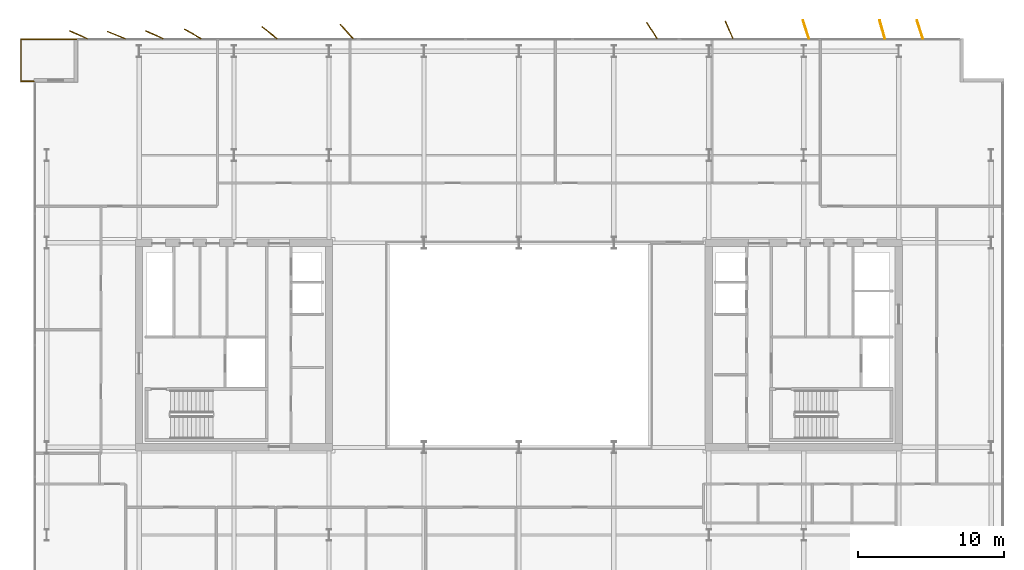
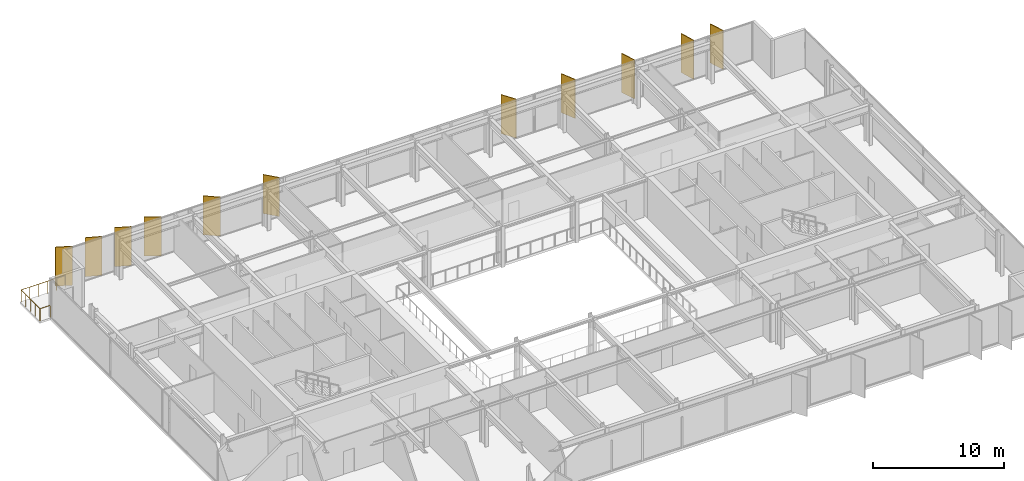
# One storey, part 23 of 23: 11 shading devices, 1 railing.
"""IFC4 building model written with IfcOpenShell, lengths in metres."""

from ifc_helpers import new_model, si_unit, direction, frame, origin, origin_2d, place, context, subcontext, project, spatial, rectangle, circle, extrude, material, layer, layer_set, type_object, element, save


model = new_model("IFC4")

# Units and contexts
model_context = context("Model", 3, precision=1e-05, world=origin(), true_north=direction((0.0, 1.0)))
body_context = subcontext(model_context, "Body", "Model", "MODEL_VIEW")
ifc_project = project(units=[si_unit("LENGTHUNIT", "METRE"), si_unit("AREAUNIT", "SQUARE_METRE"), si_unit("VOLUMEUNIT", "CUBIC_METRE"), si_unit("PLANEANGLEUNIT", "RADIAN"), si_unit("MASSUNIT", "GRAM", prefix="KILO")], contexts=[model_context])

# Site, building, storey
site_placement = place(None, origin())
site = spatial("IfcSite", under=ifc_project, at=site_placement, CompositionType="ELEMENT")
building_placement = place(site_placement, origin())
building = spatial("IfcBuilding", under=site, at=building_placement, Name="Putna Gate Headquarters", CompositionType="ELEMENT")
storey_placement = place(building_placement, frame((0.0, 0.0, 213.800048828125)))
storey = spatial("IfcBuildingStorey", under=building, at=storey_placement, Name="L53", CompositionType="ELEMENT", Elevation=213.800048828125)

# Railing
ifc_material_1 = material(Name="Anodised bronze steel and laminated glass guardrail", Category="steel")
railing_type = type_object("IfcRailingType", Name="RAIL-TERR-GUARD-1150", PredefinedType="GUARDRAIL", material=ifc_material_1)
railing_placement = place(storey_placement, frame((5.800048828125, 44.06005859375, 0.0)))
element("IfcRailing", 1, at=railing_placement, inside=storey, type_object=railing_type, Name="L53 Spiral Sky Terrace Guardrail NW", PredefinedType="GUARDRAIL", context=body_context, shape_type="SweptSolid", body=[
    extrude(circle(Radius=0.02392578125, at=origin_2d()), frame((0.0, 0.0, 1.1259765625), z_axis=(-1.0, 0.0, 0.0), x_axis=(0.0, -1.0, 0.0)), (0.0, 0.0, 1.0), 0.89013671875),
    extrude(circle(Radius=0.02392578125, at=origin_2d()), frame((-0.89013671875, 0.0, 1.1259765625), z_axis=(0.0, 1.0, 0.0), x_axis=(-1.0, 0.0, 0.0)), (0.0, 0.0, 1.0), 2.8798828125),
    extrude(circle(Radius=0.02392578125, at=origin_2d()), frame((-0.89013671875, 2.8798828125, 1.1259765625), z_axis=(1.0, 0.0, 0.0), x_axis=(0.0, 1.0, 0.0)), (0.0, 0.0, 1.0), 3.89013671875),
    extrude(circle(Radius=0.02099609375, at=origin_2d()), origin(), (0.0, 0.0, 1.0), 1.101806640625),
    extrude(circle(Radius=0.02099609375, at=origin_2d()), frame((-0.89013671875, 0.0, 0.0)), (0.0, 0.0, 1.0), 1.101806640625),
    extrude(circle(Radius=0.02099609375, at=origin_2d()), frame((-0.89013671875, 0.719970703125, 0.0)), (0.0, 0.0, 1.0), 1.101806640625),
    extrude(circle(Radius=0.02099609375, at=origin_2d()), frame((-0.89013671875, 1.43994140625, 0.0)), (0.0, 0.0, 1.0), 1.101806640625),
    extrude(circle(Radius=0.02099609375, at=origin_2d()), frame((-0.89013671875, 2.159912109375, 0.0)), (0.0, 0.0, 1.0), 1.101806640625),
    extrude(circle(Radius=0.02099609375, at=origin_2d()), frame((-0.89013671875, 2.8798828125, 0.0)), (0.0, 0.0, 1.0), 1.101806640625),
    extrude(circle(Radius=0.02099609375, at=origin_2d()), frame((-0.112060546875, 2.8798828125, 0.0)), (0.0, 0.0, 1.0), 1.101806640625),
    extrude(circle(Radius=0.02099609375, at=origin_2d()), frame((0.666015625, 2.8798828125, 0.0)), (0.0, 0.0, 1.0), 1.101806640625),
    extrude(circle(Radius=0.02099609375, at=origin_2d()), frame((1.44384765625, 2.8798828125, 0.0)), (0.0, 0.0, 1.0), 1.101806640625),
    extrude(circle(Radius=0.02099609375, at=origin_2d()), frame((2.221923828125, 2.8798828125, 0.0)), (0.0, 0.0, 1.0), 1.101806640625),
    extrude(circle(Radius=0.02099609375, at=origin_2d()), frame((3.0, 2.8798828125, 0.0)), (0.0, 0.0, 1.0), 1.101806640625),
])

# Shading devices
ifc_material_2 = material(Name="Anodised architectural bronze aluminium fin", Category="aluminium")
ifc_layer = layer(ifc_material_2, 0.06494140625)
ifc_layer_set = layer_set([ifc_layer], Name="Anodised architectural bronze aluminium fin")
shading_device_type = type_object("IfcShadingDeviceType", Name="SHADE-BRONZE-FIN-1320", PredefinedType="USERDEFINED", material=ifc_layer_set)
for number, where, z_axis, x_axis, name in (
    (2, (8.846923828125, 47.2431640625, -0.02001953125), (0.0, 0.0, 1.0), (-0.913687379856, 0.40641773078, 0.0), "L53 Bronze Vertical Shading Fin N1"),
    (3, (11.43798828125, 47.22216796875, -0.02001953125), (0.0, 0.0, 1.0), (-0.927183854567, 0.374606593416, 0.0), "L53 Bronze Vertical Shading Fin N2"),
    (4, (14.047119140625, 47.2431640625, -0.02001953125), (0.0, 0.0, 1.0), (-0.913687379856, 0.40641773078, 0.0), "L53 Bronze Vertical Shading Fin N3"),
    (5, (16.67626953125, 47.30126953125, -0.02001953125), (0.0, 0.0, 1.0), (-0.869322458298, 0.494245347472, 0.0), "L53 Bronze Vertical Shading Fin N4"),
    (6, (21.930419921875, 47.3818359375, -0.02001953125), (0.0, 0.0, 1.0), (-0.787473187632, 0.616348909921, 0.0), "L53 Bronze Vertical Shading Fin N5"),
    (7, (27.20849609375, 47.465576171875, -0.02001953125), (0.0, 0.0, 1.0), (-0.669130606359, 0.743144825477, 0.0), "L53 Bronze Vertical Shading Fin N6"),
    (8, (48.099853515625, 47.534423828125, -0.02001953125), (0.0, 0.0, 1.0), (-0.530659123936, 0.847585331506, 0.0), "L53 Bronze Vertical Shading Fin N7"),
    (9, (53.385498046875, 47.57958984375, -0.02001953125), (0.0, 0.0, 1.0), (-0.400668879095, 0.916222925562, 0.0), "L53 Bronze Vertical Shading Fin N8"),
    (10, (58.646240234375, 47.602783203125, -0.02001953125), (0.0, 0.0, 1.0), (-0.308684994204, 0.951164325631, 0.0), "L53 Bronze Vertical Shading Fin N9"),
    (11, (63.8681640625, 47.609375, -0.02001953125), (0.0, 0.0, 1.0), (-0.275637355817, 0.961261695938, 0.0), "L53 Bronze Vertical Shading Fin N10"),
    (12, (66.4462890625, 47.602783203125, -0.02001953125), (0.0, 0.0, 1.0), (-0.308684994204, 0.951164325631, 0.0), "L53 Bronze Vertical Shading Fin N11"),
):
    element("IfcShadingDevice", number, at=place(storey_placement, frame(where, z_axis=z_axis, x_axis=x_axis)), inside=storey, type_object=shading_device_type, Name=name, ObjectType="FIN", PredefinedType="USERDEFINED", context=body_context, shape_type="SweptSolid", body=[
        extrude(rectangle(XDim=1.320068359375, YDim=0.06494140625, at=origin_2d()), origin(), (0.0, 0.0, 1.0), 3.6201171875),
    ])

save(model, "model.ifc")
